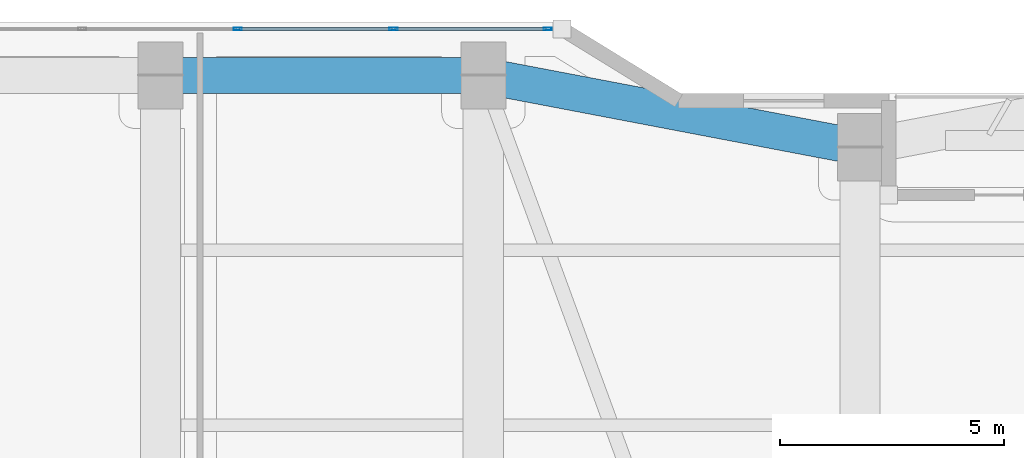
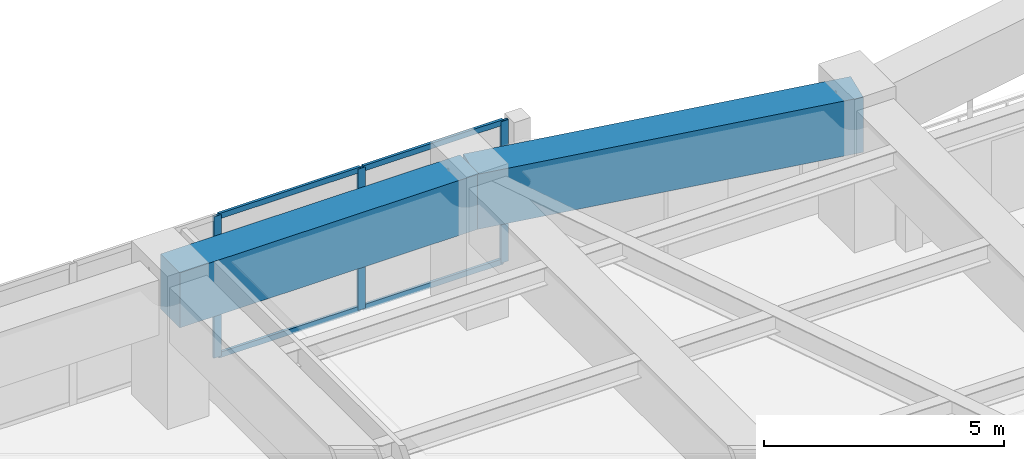
# One storey, part 17 of 28: 7 members, 2 beams, 1 element without a shape of its own.
"""IFC4 building model written with IfcOpenShell, lengths in metres."""

import ifcopenshell
import ifcopenshell.guid

model = None  # the IFC model being written
_history = None  # IfcOwnerHistory: only IFC2X3 demands one
_inside = {}  # id of a spatial element -> (the spatial element, [elements in it])
_under = {}  # id of a project, library or spatial element -> (it, [spatial elements below it])
_declared = {}  # id of a project -> (the project, [libraries it declares])
_typed = {}  # id of a type object -> (the type object, [elements of that type])
_made_of = {}  # id of a material, layer set ... -> (it, [elements and type objects made of it])


def new_model(schema):
    """Start an empty IFC model of exactly this schema.

    Asked for "IFC4X3", IfcOpenShell would pick the latest addendum, in which some entities
    have other attributes; the version numbers below select the first issue.
    IFC2X3 requires an IfcOwnerHistory on every rooted entity: one is made here for all.
    """
    global model, _history
    if schema == "IFC4X3":
        model = ifcopenshell.file(schema_version=(4, 3, 0, 0))
    else:
        model = ifcopenshell.file(schema=schema)
    _inside.clear()
    _under.clear()
    _declared.clear()
    _typed.clear()
    _made_of.clear()
    _history = None
    if model.schema == "IFC2X3":
        org = make("IfcOrganization", Name="unknown")
        user = make(
            "IfcPersonAndOrganization",
            ThePerson=make("IfcPerson", FamilyName="unknown"),
            TheOrganization=org,
        )
        app = make(
            "IfcApplication",
            ApplicationDeveloper=org,
            Version="unknown",
            ApplicationFullName="unknown",
            ApplicationIdentifier="unknown",
        )
        _history = make(
            "IfcOwnerHistory",
            OwningUser=user,
            OwningApplication=app,
            ChangeAction="ADDED",
            CreationDate=0,
        )
    return model


def make(cls, **values):
    """One entity of the class cls with the attributes given. An attribute that is None is left unset."""
    return model.create_entity(
        cls, **{name: value for name, value in values.items() if value is not None}
    )


def rooted(cls, **values):
    """An entity with a GlobalId (a new one), such as an element, a storey or a relation."""
    return make(cls, GlobalId=ifcopenshell.guid.new(), OwnerHistory=_history, **values)


def si_unit(unit_type, name, prefix=None):
    """IfcSIUnit, for example si_unit("LENGTHUNIT", "METRE", prefix="MILLI")."""
    return make("IfcSIUnit", UnitType=unit_type, Prefix=prefix, Name=name)


def assignment(units):
    """IfcUnitAssignment: the units of a project."""
    return None if units is None else make("IfcUnitAssignment", Units=units)


def point(xyz):
    """IfcCartesianPoint."""
    return None if xyz is None else make("IfcCartesianPoint", Coordinates=xyz)


def direction(xyz):
    """IfcDirection."""
    return None if xyz is None else make("IfcDirection", DirectionRatios=xyz)


def frame(location, z_axis=None, x_axis=None):
    """IfcAxis2Placement3D, a coordinate frame: its origin and axes. An axis left out is left unset."""
    return make(
        "IfcAxis2Placement3D",
        Location=point(location),
        Axis=direction(z_axis),
        RefDirection=direction(x_axis),
    )


def frame_2d(location, x_axis=None):
    """IfcAxis2Placement2D, a coordinate frame in the plane: its origin and x axis."""
    return make(
        "IfcAxis2Placement2D", Location=point(location), RefDirection=direction(x_axis)
    )


def origin():
    """The frame at (0, 0, 0) with its axes left unset."""
    return frame((0.0, 0.0, 0.0))


def origin_2d():
    """The frame at (0, 0) in the plane with its x axis left unset."""
    return frame_2d((0.0, 0.0))


def place(relative_to, where):
    """IfcLocalPlacement: puts the frame where relative to a parent placement (None: the world)."""
    return make(
        "IfcLocalPlacement", PlacementRelTo=relative_to, RelativePlacement=where
    )


def context(
    kind, dimensions, precision=None, world=None, true_north=None, identifier=None
):
    """IfcGeometricRepresentationContext, for example the 3D "Model" context."""
    return make(
        "IfcGeometricRepresentationContext",
        ContextIdentifier=identifier,
        ContextType=kind,
        CoordinateSpaceDimension=dimensions,
        Precision=precision,
        WorldCoordinateSystem=world,
        TrueNorth=true_north,
    )


def subcontext(parent, identifier, kind, view, scale=None):
    """IfcGeometricRepresentationSubContext, for example "Body" below "Model"."""
    return make(
        "IfcGeometricRepresentationSubContext",
        ContextIdentifier=identifier,
        ContextType=kind,
        ParentContext=parent,
        TargetScale=scale,
        TargetView=view,
    )


def project(units=None, contexts=None):
    """IfcProject with its units and contexts."""
    return rooted(
        "IfcProject",
        Name="project",
        RepresentationContexts=contexts,
        UnitsInContext=assignment(units),
    )


def spatial(cls, under=None, at=None, **own):
    """A site, building, storey or space (cls), placed at a placement, below another one or the project."""
    s = rooted(cls, ObjectPlacement=at, **own)
    if under is not None:
        _under.setdefault(under.id(), (under, []))[1].append(s)
    return s


def profile(cls, at=None, kind="AREA", **sizes):
    """A parametric profile (cls). Its sizes go by their IFC names, for example OverallWidth=200.0."""
    return make(cls, ProfileType=kind, Position=at, **sizes)


def rectangle(**sizes):
    """IfcRectangleProfileDef."""
    return profile("IfcRectangleProfileDef", **sizes)


def hollow_rectangle(**sizes):
    """IfcRectangleHollowProfileDef."""
    return profile("IfcRectangleHollowProfileDef", **sizes)


def extrude(swept, where, along, depth):
    """IfcExtrudedAreaSolid: the profile swept, set in the frame where, extruded along a direction by depth."""
    return make(
        "IfcExtrudedAreaSolid",
        SweptArea=swept,
        Position=where,
        ExtrudedDirection=direction(along),
        Depth=depth,
    )


def shape(context_of_items, identifier, shape_type, items):
    """IfcShapeRepresentation: the items that make up one representation, for example the "Body"."""
    return make(
        "IfcShapeRepresentation",
        ContextOfItems=context_of_items,
        RepresentationIdentifier=identifier,
        RepresentationType=shape_type,
        Items=items,
    )


def material(Name=None, Category=None):
    """IfcMaterial."""
    return make("IfcMaterial", Name=Name, Category=Category)


def layer(
    of_material, thickness, ventilated=None, Name=None, Category=None, Priority=None
):
    """IfcMaterialLayer: one layer of a wall or slab, of a material (None: an air gap)."""
    return make(
        "IfcMaterialLayer",
        Material=of_material,
        LayerThickness=thickness,
        IsVentilated=ventilated,
        Name=Name,
        Category=Category,
        Priority=Priority,
    )


def layer_set(layers, Name=None):
    """IfcMaterialLayerSet."""
    return make("IfcMaterialLayerSet", MaterialLayers=layers, LayerSetName=Name)


def material_profile(
    of_material, cross_section, Name=None, Category=None, Priority=None
):
    """IfcMaterialProfile: a cross section and its material."""
    return make(
        "IfcMaterialProfile",
        Name=Name,
        Material=of_material,
        Profile=cross_section,
        Priority=Priority,
        Category=Category,
    )


def profile_set(profiles, Name=None, composite=None):
    """IfcMaterialProfileSet."""
    return make(
        "IfcMaterialProfileSet",
        Name=Name,
        MaterialProfiles=profiles,
        CompositeProfile=composite,
    )


def made_of(thing, what):
    """Note that an element or type object is made of a material, layer set ...; save() writes the relation."""
    if what is not None:
        _made_of.setdefault(what.id(), (what, []))[1].append(thing)
    return thing


def type_object(cls, material=None, **own):
    """A type object (cls), such as IfcWallType, which elements share."""
    return made_of(rooted(cls, **own), material)


def element(
    cls,
    number,
    at=None,
    inside=None,
    cuts=None,
    type_object=None,
    material=None,
    context=None,
    identifier="Body",
    shape_type=None,
    held_by="IfcProductDefinitionShape",
    body=None,
    shapes=None,
    **own,
):
    """One element of the class cls, such as IfcWall. Its Tag is "e" and its number.

    at: its placement. inside: the storey or other place that contains it. cuts: it is an
    opening in that element (IfcRelVoidsElement). A single representation is given by context,
    identifier, shape_type and body (its items); several are given by shapes. held_by: the class
    of the entity that holds the representations. save() writes the other relations.
    """
    e = rooted(cls, Tag="e%d" % number, ObjectPlacement=at, **own)
    if body is not None:
        shapes = [shape(context, identifier, shape_type, body)]
    if shapes is not None:
        e.Representation = make(held_by, Representations=shapes)
    if inside is not None:
        _inside.setdefault(inside.id(), (inside, []))[1].append(e)
    if cuts is not None:
        rooted(
            "IfcRelVoidsElement", RelatingBuildingElement=cuts, RelatedOpeningElement=e
        )
    if type_object is not None:
        _typed.setdefault(type_object.id(), (type_object, []))[1].append(e)
    return made_of(e, material)


def aggregate(whole, parts):
    """IfcRelAggregates: a whole, such as a stair, and the parts it consists of."""
    return rooted("IfcRelAggregates", RelatingObject=whole, RelatedObjects=parts)


def save(model, path):
    """Write the relations noted so far, then the file.

    IfcRelAggregates (storeys below a building ...), IfcRelContainedInSpatialStructure (elements
    in a storey), IfcRelDefinesByType, IfcRelAssociatesMaterial and IfcRelDeclares: one each for
    every whole, place, type object, material and project.
    """
    for whole, parts in _under.values():
        aggregate(whole, parts)
    for where, things in _inside.values():
        rooted(
            "IfcRelContainedInSpatialStructure",
            RelatedElements=things,
            RelatingStructure=where,
        )
    for kind, things in _typed.values():
        rooted("IfcRelDefinesByType", RelatedObjects=things, RelatingType=kind)
    for what, things in _made_of.values():
        rooted("IfcRelAssociatesMaterial", RelatedObjects=things, RelatingMaterial=what)
    for by, libraries in _declared.values():
        rooted("IfcRelDeclares", RelatingContext=by, RelatedDefinitions=libraries)
    model.write(path)


model = new_model("IFC4")

# Units and contexts
model_context = context("Model", 3, precision=1e-05, world=origin(), true_north=direction((0.0, 1.0)))
body_context = subcontext(model_context, "Body", "Model", "MODEL_VIEW")
ifc_project = project(units=[si_unit("LENGTHUNIT", "METRE"), si_unit("AREAUNIT", "SQUARE_METRE"), si_unit("VOLUMEUNIT", "CUBIC_METRE"), si_unit("PLANEANGLEUNIT", "RADIAN"), si_unit("MASSUNIT", "GRAM", prefix="KILO")], contexts=[model_context])

# Site, building, storey
site_placement = place(None, origin())
site = spatial("IfcSite", under=ifc_project, at=site_placement, CompositionType="ELEMENT")
building_placement = place(site_placement, origin())
building = spatial("IfcBuilding", under=site, at=building_placement, Name="Kiyonajd Concourse Tower", CompositionType="ELEMENT")
storey_placement = place(building_placement, frame((0.0, 0.0, 76.800048828125)))
storey = spatial("IfcBuildingStorey", under=building, at=storey_placement, Name="L20", CompositionType="ELEMENT", Elevation=76.800048828125)

# Beams
ifc_material_1 = material(Name="Concrete C60/75", Category="concrete")
ifc_material_profile_1 = material_profile(ifc_material_1, rectangle(XDim=0.800048828125, YDim=1.39990234375, at=origin_2d()), Name="RCBM-800x1400")
ifc_profile_set_1 = profile_set([ifc_material_profile_1], Name="Concrete C60/75")
beam_type = type_object("IfcBeamType", Name="BM-XFER-RC", PredefinedType="BEAM", material=ifc_profile_set_1)
beam_1_placement = place(storey_placement, frame((48.0, 59.60009765625, 2.89990234375), z_axis=(-0.982341315253, 0.187097675953, 0.0), x_axis=(-0.187097675953, -0.982341315253, 0.0)))
element("IfcBeam", 1, at=beam_1_placement, inside=storey, type_object=beam_type, Name="L20 Perimeter Bundled Tube Spandrel", PredefinedType="BEAM", context=body_context, shape_type="SweptSolid", body=[
    extrude(rectangle(XDim=0.800048828125, YDim=1.39990234375, at=origin_2d()), origin(), (0.0, 0.0, 1.0), 8.55078125),
])
beam_2_placement = place(storey_placement, frame((39.60009765625, 61.199951171875, 2.89990234375), z_axis=(-1.0, 0.0, 0.0), x_axis=(0.0, -1.0, 0.0)))
element("IfcBeam", 2, at=beam_2_placement, inside=storey, type_object=beam_type, Name="L20 Perimeter Bundled Tube Spandrel", PredefinedType="BEAM", context=body_context, shape_type="SweptSolid", body=[
    extrude(rectangle(XDim=0.800048828125, YDim=1.39990234375, at=origin_2d()), origin(), (0.0, 0.0, 1.0), 7.2001953125),
])

# Curtain wall, members
ifc_material_2 = material(Name="Thermally Broken Anodised Aluminium", Category="aluminium")
ifc_layer = layer(ifc_material_2, 0.179931640625)
ifc_layer_set = layer_set([ifc_layer], Name="Thermally Broken Anodised Aluminium")
curtain_wall_type = type_object("IfcCurtainWallType", Name="CW-SYS-02", PredefinedType="NOTDEFINED", material=ifc_layer_set)
curtain_wall_placement = place(storey_placement, origin())
curtain_wall = element("IfcCurtainWall", 3, at=curtain_wall_placement, inside=storey, type_object=curtain_wall_type, Name="L20 Unitised Curtain Wall CW2", PredefinedType="NOTDEFINED")
ifc_material_profile_2 = material_profile(ifc_material_2, hollow_rectangle(XDim=0.06494140625, YDim=0.179931640625, WallThickness=0.00390625, at=origin_2d()), Name="MULL-65x180")
ifc_profile_set_2 = profile_set([ifc_material_profile_2], Name="Thermally Broken Anodised Aluminium")
member_type_1 = type_object("IfcMemberType", Name="MB-CW-MULL1", PredefinedType="MULLION", material=ifc_profile_set_2)
member_1_placement = place(storey_placement, frame((34.123291015625, 62.239990234375, 0.0), z_axis=(0.0, 0.0, 1.0), x_axis=(0.0, 1.0, 0.0)))
member_1 = element("IfcMember", 4, at=member_1_placement, type_object=member_type_1, Name="CW2 mullion 4", PredefinedType="MULLION", context=body_context, shape_type="SweptSolid", body=[
    extrude(hollow_rectangle(XDim=0.06494140625, YDim=0.179931640625, WallThickness=0.00390625, at=origin_2d()), origin(), (0.0, 0.0, 1.0), 3.599853515625),
])
member_2_placement = place(storey_placement, frame((37.593994140625, 62.239990234375, 0.0), z_axis=(0.0, 0.0, 1.0), x_axis=(0.0, 1.0, 0.0)))
member_2 = element("IfcMember", 5, at=member_2_placement, type_object=member_type_1, Name="CW2 mullion 5", PredefinedType="MULLION", context=body_context, shape_type="SweptSolid", body=[
    extrude(hollow_rectangle(XDim=0.06494140625, YDim=0.179931640625, WallThickness=0.00390625, at=origin_2d()), origin(), (0.0, 0.0, 1.0), 3.599853515625),
])
member_3_placement = place(storey_placement, frame((41.0322265625, 62.239990234375, 0.0), z_axis=(0.0, 0.0, 1.0), x_axis=(0.0, 1.0, 0.0)))
member_3 = element("IfcMember", 6, at=member_3_placement, type_object=member_type_1, Name="CW2 mullion 6", PredefinedType="MULLION", context=body_context, shape_type="SweptSolid", body=[
    extrude(hollow_rectangle(XDim=0.06494140625, YDim=0.179931640625, WallThickness=0.00390625, at=origin_2d()), origin(), (0.0, 0.0, 1.0), 3.599853515625),
])
ifc_material_profile_3 = material_profile(ifc_material_2, hollow_rectangle(XDim=0.06494140625, YDim=0.139892578125, WallThickness=0.00390625, at=origin_2d()), Name="TRAN-65x140")
ifc_profile_set_3 = profile_set([ifc_material_profile_3], Name="Thermally Broken Anodised Aluminium")
member_type_2 = type_object("IfcMemberType", Name="MB-CW-TRAN1", PredefinedType="USERDEFINED", material=ifc_profile_set_3)
member_4_placement = place(storey_placement, frame((34.15576171875, 62.239990234375, 0.032470703125), z_axis=(1.0, 0.0, 0.0), x_axis=(0.0, 1.0, 0.0)))
member_4 = element("IfcMember", 7, at=member_4_placement, type_object=member_type_2, Name="CW2 transom 4.1", ObjectType="TRANSOM", PredefinedType="USERDEFINED", context=body_context, shape_type="SweptSolid", body=[
    extrude(hollow_rectangle(XDim=0.06494140625, YDim=0.139892578125, WallThickness=0.00390625, at=origin_2d()), origin(), (0.0, 0.0, 1.0), 3.40576171875),
])
member_5_placement = place(storey_placement, frame((34.15576171875, 62.239990234375, 3.5673828125), z_axis=(1.0, 0.0, 0.0), x_axis=(0.0, 1.0, 0.0)))
member_5 = element("IfcMember", 8, at=member_5_placement, type_object=member_type_2, Name="CW2 transom 4.2", ObjectType="TRANSOM", PredefinedType="USERDEFINED", context=body_context, shape_type="SweptSolid", body=[
    extrude(hollow_rectangle(XDim=0.06494140625, YDim=0.139892578125, WallThickness=0.00390625, at=origin_2d()), origin(), (0.0, 0.0, 1.0), 3.40576171875),
])
member_6_placement = place(storey_placement, frame((37.62646484375, 62.239990234375, 0.032470703125), z_axis=(1.0, 0.0, 0.0), x_axis=(0.0, 1.0, 0.0)))
member_6 = element("IfcMember", 9, at=member_6_placement, type_object=member_type_2, Name="CW2 transom 5.1", ObjectType="TRANSOM", PredefinedType="USERDEFINED", context=body_context, shape_type="SweptSolid", body=[
    extrude(hollow_rectangle(XDim=0.06494140625, YDim=0.139892578125, WallThickness=0.00390625, at=origin_2d()), origin(), (0.0, 0.0, 1.0), 3.373291015625),
])
member_7_placement = place(storey_placement, frame((37.62646484375, 62.239990234375, 3.5673828125), z_axis=(1.0, 0.0, 0.0), x_axis=(0.0, 1.0, 0.0)))
member_7 = element("IfcMember", 10, at=member_7_placement, type_object=member_type_2, Name="CW2 transom 5.2", ObjectType="TRANSOM", PredefinedType="USERDEFINED", context=body_context, shape_type="SweptSolid", body=[
    extrude(hollow_rectangle(XDim=0.06494140625, YDim=0.139892578125, WallThickness=0.00390625, at=origin_2d()), origin(), (0.0, 0.0, 1.0), 3.373291015625),
])
aggregate(curtain_wall, [member_1, member_2, member_3, member_4, member_5, member_6, member_7])

save(model, "model.ifc")
